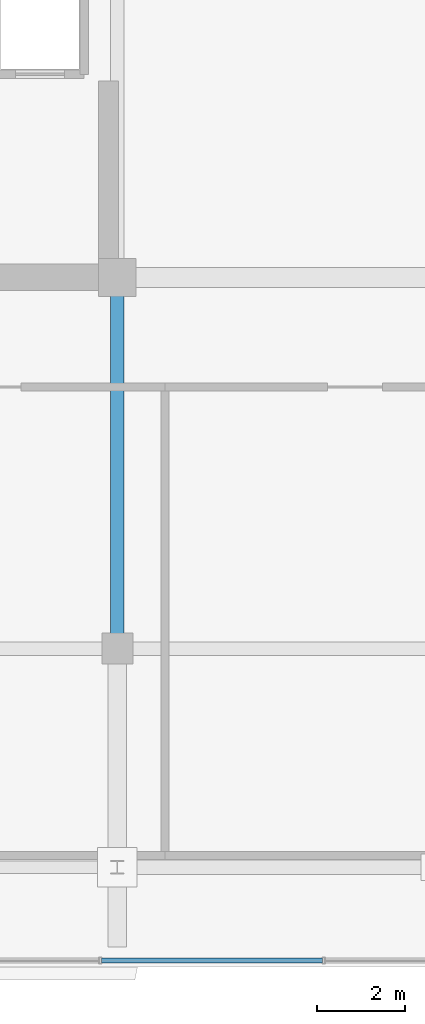
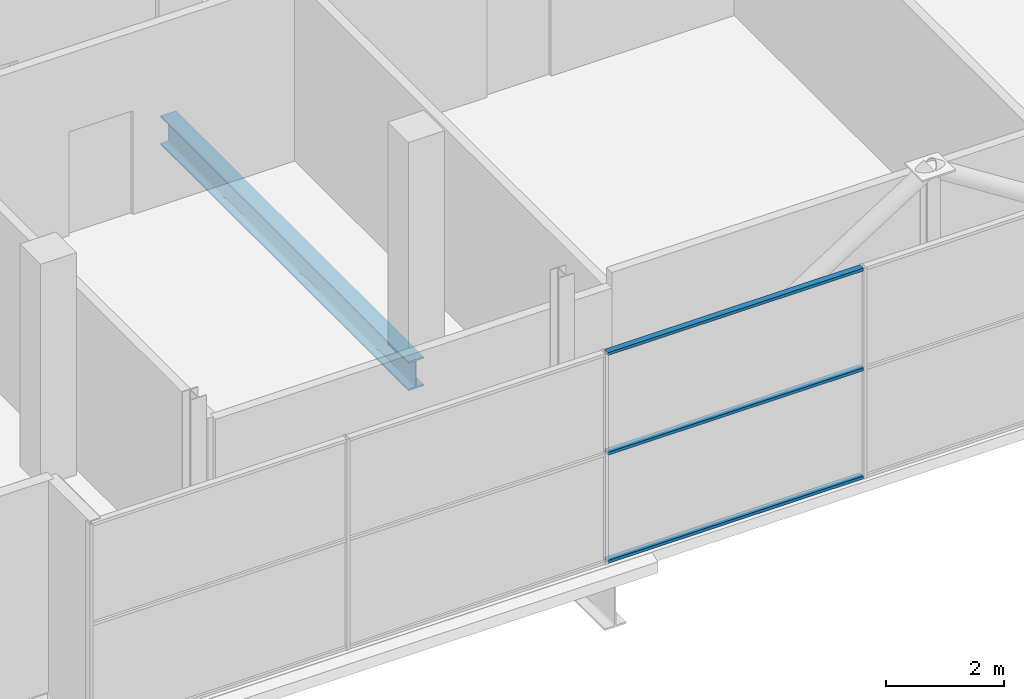
# One storey, part 6 of 28: 3 members, 1 beam, 1 element without a shape of its own.
"""IFC4 building model written with IfcOpenShell, lengths in metres."""

from ifc_helpers import new_model, si_unit, direction, frame, origin, origin_2d, place, context, subcontext, project, spatial, hollow_rectangle, i_section, extrude, source, transform, mapped, material, layer, layer_set, material_profile, profile_set, type_object, element, aggregate, save


model = new_model("IFC4")

# Units and contexts
model_context = context("Model", 3, precision=1e-05, world=origin(), true_north=direction((0.0, 1.0)))
body_context = subcontext(model_context, "Body", "Model", "MODEL_VIEW")
ifc_project = project(units=[si_unit("LENGTHUNIT", "METRE"), si_unit("AREAUNIT", "SQUARE_METRE"), si_unit("VOLUMEUNIT", "CUBIC_METRE"), si_unit("PLANEANGLEUNIT", "RADIAN"), si_unit("MASSUNIT", "GRAM", prefix="KILO")], contexts=[model_context])

# Site, building, storey
site_placement = place(None, origin())
site = spatial("IfcSite", under=ifc_project, at=site_placement, CompositionType="ELEMENT")
building_placement = place(site_placement, origin())
building = spatial("IfcBuilding", under=site, at=building_placement, Name="Zarnakvel Exchange Tower", CompositionType="ELEMENT")
storey_placement = place(building_placement, frame((0.0, 0.0, 271.60009765625)))
storey = spatial("IfcBuildingStorey", under=building, at=storey_placement, Name="Crown L77", CompositionType="ELEMENT", Elevation=271.60009765625)

# Beam
ifc_material_1 = material(Name="Steel S355", Category="steel")
ifc_material_profile_1 = material_profile(ifc_material_1, i_section(OverallWidth=0.300048828125, OverallDepth=0.60009765625, WebThickness=0.015380859375, FlangeThickness=0.030029296875, FilletRadius=0.027099609375, at=origin_2d()))
ifc_profile_set_1 = profile_set([ifc_material_profile_1], Name="Steel S355")
beam_type = type_object("IfcBeamType", Name="G-04", PredefinedType="BEAM", material=ifc_profile_set_1)
beam_placement = place(storey_placement, frame((-7.199951171875, -9.60009765625, -0.52001953125), z_axis=(0.0, 1.0, 0.0), x_axis=(-1.0, 0.0, 0.0)))
element("IfcBeam", 1, at=beam_placement, inside=storey, type_object=beam_type, Name="Crown L77 Tower N-S Frame Beam", PredefinedType="BEAM", context=body_context, shape_type="SweptSolid", body=[
    extrude(i_section(OverallWidth=0.300048828125, OverallDepth=0.60009765625, WebThickness=0.015380859375, FlangeThickness=0.030029296875, FilletRadius=0.027099609375, at=origin_2d()), origin(), (0.0, 0.0, 1.0), 8.400146484375),
])

# Curtain wall, members
ifc_material_2 = material(Name="Architectural Bronze Anodised Aluminium", Category="aluminium")
ifc_layer = layer(ifc_material_2, 0.14990234375)
ifc_layer_set = layer_set([ifc_layer], Name="Architectural Bronze Anodised Aluminium")
curtain_wall_type = type_object("IfcCurtainWallType", Name="CW-07", PredefinedType="NOTDEFINED", material=ifc_layer_set)
curtain_wall_placement = place(storey_placement, origin())
curtain_wall = element("IfcCurtainWall", 2, at=curtain_wall_placement, inside=storey, type_object=curtain_wall_type, Name="Crown L77 Curtain Wall CW-Crown L77-S (CW-07)", PredefinedType="NOTDEFINED")
ifc_material_profile_2 = material_profile(ifc_material_2, hollow_rectangle(XDim=0.1201171875, YDim=0.06005859375, WallThickness=0.00390625, at=origin_2d()))
ifc_profile_set_2 = profile_set([ifc_material_profile_2], Name="Architectural Bronze Anodised Aluminium")
member_type = type_object("IfcMemberType", Name="CWT-07", PredefinedType="USERDEFINED", material=ifc_profile_set_2)
shared_shape = source(origin(), body_context, "Body", "SweptSolid", [
    extrude(hollow_rectangle(XDim=0.1201171875, YDim=0.06005859375, WallThickness=0.00390625, at=origin_2d()), origin(), (0.0, 0.0, 1.0), 4.9970703125),
])
member_1_placement = place(storey_placement, frame((-7.5556640625, -16.659912109375, 0.02978515625), z_axis=(1.0, 0.0, 0.0), x_axis=(0.0, 1.0, 0.0)))
member_1 = element("IfcMember", 3, at=member_1_placement, type_object=member_type, Name="CW-07 transom 3.1", ObjectType="TRANSOM", PredefinedType="USERDEFINED", context=body_context, shape_type="MappedRepresentation", body=[
    mapped(shared_shape, transform((0.0, 0.0, 0.0), x_axis=(1.0, 0.0, 0.0), y_axis=(0.0, 1.0, 0.0), z_axis=(0.0, 0.0, 1.0), scale=1.0)),
])
member_2_placement = place(storey_placement, frame((-7.5556640625, -16.659912109375, 2.26708984375), z_axis=(1.0, 0.0, 0.0), x_axis=(0.0, 1.0, 0.0)))
member_2 = element("IfcMember", 4, at=member_2_placement, type_object=member_type, Name="CW-07 transom 3.2", ObjectType="TRANSOM", PredefinedType="USERDEFINED", context=body_context, shape_type="MappedRepresentation", body=[
    mapped(shared_shape, transform((0.0, 0.0, 0.0), x_axis=(1.0, 0.0, 0.0), y_axis=(0.0, 1.0, 0.0), z_axis=(0.0, 0.0, 1.0), scale=1.0)),
])
member_3_placement = place(storey_placement, frame((-7.5556640625, -16.659912109375, 4.329833984375), z_axis=(1.0, 0.0, 0.0), x_axis=(0.0, 1.0, 0.0)))
member_3 = element("IfcMember", 5, at=member_3_placement, type_object=member_type, Name="CW-07 transom 3.3", ObjectType="TRANSOM", PredefinedType="USERDEFINED", context=body_context, shape_type="MappedRepresentation", body=[
    mapped(shared_shape, transform((0.0, 0.0, 0.0), x_axis=(1.0, 0.0, 0.0), y_axis=(0.0, 1.0, 0.0), z_axis=(0.0, 0.0, 1.0), scale=1.0)),
])
aggregate(curtain_wall, [member_1, member_2, member_3])

save(model, "model.ifc")
